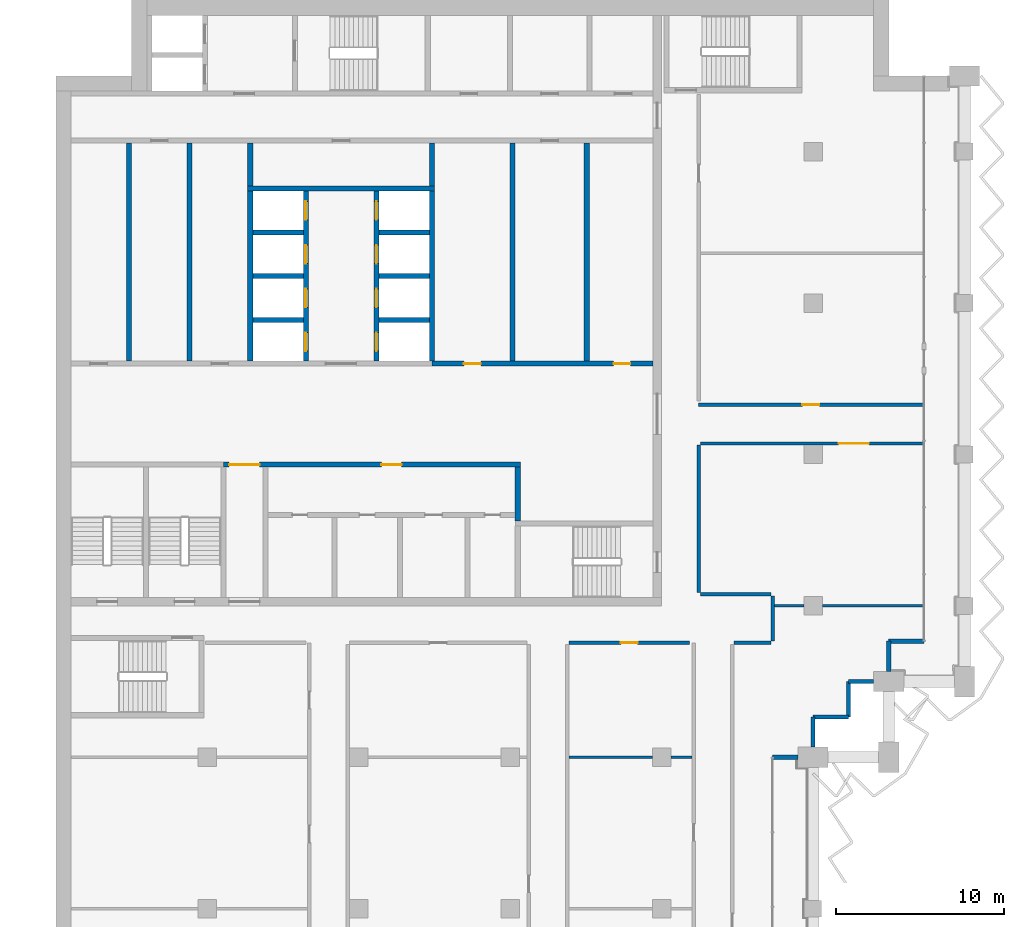
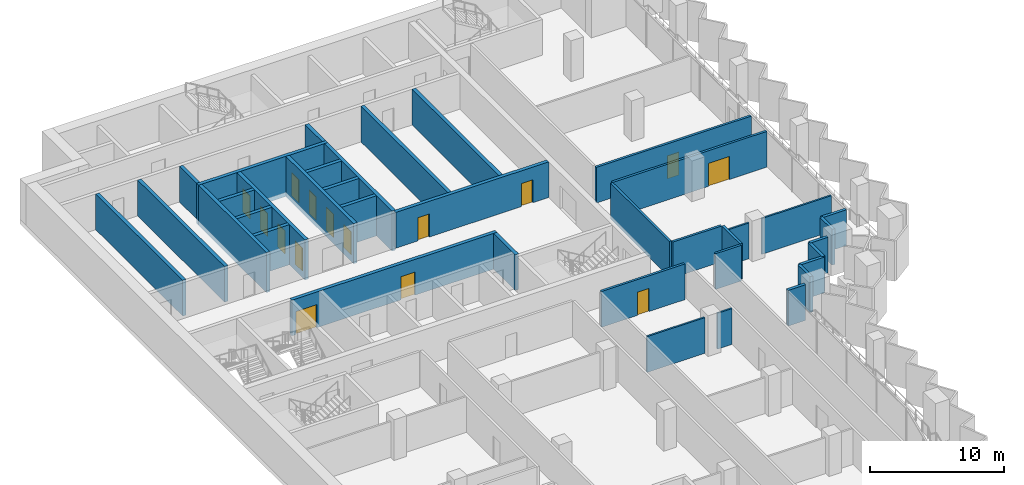
# One storey, part 11 of 18: 38 walls, 15 doors, 15 openings.
"""IFC4 building model written with IfcOpenShell, lengths in metres."""

from ifc_helpers import new_model, si_unit, direction, frame, frame_2d, origin, place, context, subcontext, project, spatial, rectangle, extrude, material, layer, layer_set, type_object, element, fill, save


model = new_model("IFC4")

# Units and contexts
model_context = context("Model", 3, precision=1e-05, world=origin(), true_north=direction((0.0, 1.0)))
body_context = subcontext(model_context, "Body", "Model", "MODEL_VIEW")
ifc_project = project(units=[si_unit("LENGTHUNIT", "METRE"), si_unit("AREAUNIT", "SQUARE_METRE"), si_unit("VOLUMEUNIT", "CUBIC_METRE"), si_unit("PLANEANGLEUNIT", "RADIAN"), si_unit("MASSUNIT", "GRAM", prefix="KILO")], contexts=[model_context])

# Site, building, storey
site_placement = place(None, origin())
site = spatial("IfcSite", under=ifc_project, at=site_placement, CompositionType="ELEMENT")
building_placement = place(site_placement, origin())
building = spatial("IfcBuilding", under=site, at=building_placement, Name="Hunhe Ridgeline Campus", CompositionType="ELEMENT")
storey_placement = place(building_placement, frame((0.0, 0.0, 223.5)))
storey = spatial("IfcBuildingStorey", under=building, at=storey_placement, Name="L57", CompositionType="ELEMENT", Elevation=223.5)

# Wall, openings, doors
ifc_material_1 = material(Name="Masonry concrete blockwork", Category="masonry")
ifc_layer_1 = layer(ifc_material_1, 0.300048828125)
ifc_layer_set_1 = layer_set([ifc_layer_1], Name="Core room partition 300 concrete block")
wall_type_1 = type_object("IfcWallType", Name="Core room partition 300 concrete block", PredefinedType="PARTITIONING", material=ifc_layer_set_1)
wall_1_placement = place(storey_placement, frame((9.949951171875, 71.39990234375, 0.0), z_axis=(0.0, 0.0, 1.0), x_axis=(1.0, 0.0, 0.0)))
wall_1 = element("IfcWall", 1, at=wall_1_placement, inside=storey, type_object=wall_type_1, Name="L57 core partition 11", PredefinedType="PARTITIONING", context=body_context, shape_type="SweptSolid", body=[
    extrude(rectangle(XDim=17.650146484375, YDim=0.300048828125, at=frame_2d((8.8251953125, 0.0))), origin(), (0.0, 0.0, 1.0), 3.25),
])
opening_1_placement = place(wall_1_placement, frame((0.35009765625, 0.0, 0.0)))
opening_1 = element("IfcOpeningElement", 2, at=opening_1_placement, cuts=wall_1, Name="Opening CD7", PredefinedType="OPENING", context=body_context, shape_type="SweptSolid", body=[
    extrude(rectangle(XDim=1.800048828125, YDim=2.10009765625, at=frame_2d((0.89990234375, 1.050048828125))), frame((0.0, 0.14990234375, 0.0), z_axis=(0.0, -1.0, 0.0), x_axis=(1.0, 0.0, 0.0)), (0.0, 0.0, 1.0), 0.300048828125),
])
opening_2_placement = place(wall_1_placement, frame((9.39990234375, 0.0, 0.0)))
opening_2 = element("IfcOpeningElement", 3, at=opening_2_placement, cuts=wall_1, Name="Opening CD12", PredefinedType="OPENING", context=body_context, shape_type="SweptSolid", body=[
    extrude(rectangle(XDim=1.199951171875, YDim=2.10009765625, at=frame_2d((0.60009765625, 1.050048828125))), frame((0.0, 0.14990234375, 0.0), z_axis=(0.0, -1.0, 0.0), x_axis=(1.0, 0.0, 0.0)), (0.0, 0.0, 1.0), 0.300048828125),
])
ifc_material_2 = material(Name="Anodised aluminium and glass", Category="aluminium")
door_type_1 = type_object("IfcDoorType", Name="Glazed double door 1800x2100", OperationType="DOUBLE_DOOR_SINGLE_SWING", PredefinedType="DOOR", material=ifc_material_2)
door_1_placement = place(opening_1_placement, origin())
door_1 = element("IfcDoor", 4, at=door_1_placement, inside=storey, type_object=door_type_1, Name="L57 door VEST-HALL", OperationType="DOUBLE_DOOR_SINGLE_SWING", OverallHeight=2.10009765625, OverallWidth=1.800048828125, PredefinedType="DOOR", context=body_context, shape_type="SweptSolid", body=[
    extrude(rectangle(XDim=1.800048828125, YDim=2.10009765625, at=frame_2d((0.89990234375, 1.050048828125))), frame((0.0, 0.02490234375, 0.0), z_axis=(0.0, -1.0, 0.0), x_axis=(1.0, 0.0, 0.0)), (0.0, 0.0, 1.0), 0.050048828125),
])
fill(opening_1, door_1)
ifc_material_3 = material(Name="Solid core timber door leaf", Category="wood")
door_type_2 = type_object("IfcDoorType", Name="Timber door 1200x2100", OperationType="SINGLE_SWING_LEFT", PredefinedType="DOOR", material=ifc_material_3)
door_2_placement = place(opening_2_placement, origin())
door_2 = element("IfcDoor", 5, at=door_2_placement, inside=storey, type_object=door_type_2, Name="L57 door WCL2-HALL", OperationType="SINGLE_SWING_RIGHT", OverallHeight=2.10009765625, OverallWidth=1.199951171875, PredefinedType="DOOR", context=body_context, shape_type="SweptSolid", body=[
    extrude(rectangle(XDim=1.199951171875, YDim=2.10009765625, at=frame_2d((0.60009765625, 1.050048828125))), frame((0.0, 0.02490234375, 0.0), z_axis=(0.0, -1.0, 0.0), x_axis=(1.0, 0.0, 0.0)), (0.0, 0.0, 1.0), 0.050048828125),
])
fill(opening_2, door_2)

wall_2_placement = place(storey_placement, frame((22.35009765625, 77.39990234375, 0.0), z_axis=(0.0, 0.0, 1.0), x_axis=(1.0, 0.0, 0.0)))
wall_2 = element("IfcWall", 6, at=wall_2_placement, inside=storey, type_object=wall_type_1, Name="L57 core partition 13", PredefinedType="PARTITIONING", context=body_context, shape_type="SweptSolid", body=[
    extrude(rectangle(XDim=13.14990234375, YDim=0.300048828125, at=frame_2d((6.574951171875, 0.0))), origin(), (0.0, 0.0, 1.0), 3.25),
])
opening_3_placement = place(wall_2_placement, frame((1.89990234375, 0.0, 0.0)))
opening_3 = element("IfcOpeningElement", 7, at=opening_3_placement, cuts=wall_2, Name="Opening CD32", PredefinedType="OPENING", context=body_context, shape_type="SweptSolid", body=[
    extrude(rectangle(XDim=1.0, YDim=2.10009765625, at=frame_2d((0.5, 1.050048828125))), frame((0.0, 0.14990234375, 0.0), z_axis=(0.0, -1.0, 0.0), x_axis=(1.0, 0.0, 0.0)), (0.0, 0.0, 1.0), 0.300048828125),
])
opening_4_placement = place(wall_2_placement, frame((10.800048828125, 0.0, 0.0)))
opening_4 = element("IfcOpeningElement", 8, at=opening_4_placement, cuts=wall_2, Name="Opening CD42", PredefinedType="OPENING", context=body_context, shape_type="SweptSolid", body=[
    extrude(rectangle(XDim=1.0, YDim=2.10009765625, at=frame_2d((0.5, 1.050048828125))), frame((0.0, 0.14990234375, 0.0), z_axis=(0.0, -1.0, 0.0), x_axis=(1.0, 0.0, 0.0)), (0.0, 0.0, 1.0), 0.300048828125),
])
door_type_3 = type_object("IfcDoorType", Name="Timber door 1000x2100", OperationType="SINGLE_SWING_LEFT", PredefinedType="DOOR", material=ifc_material_3)
door_3_placement = place(opening_3_placement, origin())
door_3 = element("IfcDoor", 9, at=door_3_placement, inside=storey, type_object=door_type_3, Name="L57 door ES0", OperationType="SINGLE_SWING_LEFT", OverallHeight=2.10009765625, OverallWidth=1.0, PredefinedType="DOOR", context=body_context, shape_type="SweptSolid", body=[
    extrude(rectangle(XDim=1.0, YDim=2.10009765625, at=frame_2d((0.5, 1.050048828125))), frame((0.0, 0.02490234375, 0.0), z_axis=(0.0, -1.0, 0.0), x_axis=(1.0, 0.0, 0.0)), (0.0, 0.0, 1.0), 0.050048828125),
])
fill(opening_3, door_3)
door_4_placement = place(opening_4_placement, origin())
door_4 = element("IfcDoor", 10, at=door_4_placement, inside=storey, type_object=door_type_3, Name="L57 door ES2", OperationType="SINGLE_SWING_LEFT", OverallHeight=2.10009765625, OverallWidth=1.0, PredefinedType="DOOR", context=body_context, shape_type="SweptSolid", body=[
    extrude(rectangle(XDim=1.0, YDim=2.10009765625, at=frame_2d((0.5, 1.050048828125))), frame((0.0, 0.02490234375, 0.0), z_axis=(0.0, -1.0, 0.0), x_axis=(1.0, 0.0, 0.0)), (0.0, 0.0, 1.0), 0.050048828125),
])
fill(opening_4, door_4)

# Walls
for number, where, z_axis, x_axis, name in (
    (11, (4.35009765625, 77.550048828125, 0.0), (0.0, 0.0, 1.0), (0.0, 1.0, 0.0), "L57 core partition 25"),
    (12, (7.949951171875, 77.550048828125, 0.0), (0.0, 0.0, 1.0), (0.0, 1.0, 0.0), "L57 core partition 28"),
):
    element("IfcWall", number, at=place(storey_placement, frame(where, z_axis=z_axis, x_axis=x_axis)), inside=storey, type_object=wall_type_1, Name=name, PredefinedType="PARTITIONING", context=body_context, shape_type="SweptSolid", body=[
        extrude(rectangle(XDim=12.949951171875, YDim=0.300048828125, at=frame_2d((6.47509765625, 0.0))), origin(), (0.0, 0.0, 1.0), 3.25),
    ])
for number, where, z_axis, x_axis, name in (
    (13, (11.550048828125, 87.949951171875, 0.0), (0.0, 0.0, 1.0), (0.0, 1.0, 0.0), "L57 core partition 34"),
    (14, (22.35009765625, 87.949951171875, 0.0), (0.0, 0.0, 1.0), (0.0, 1.0, 0.0), "L57 core partition 44"),
):
    element("IfcWall", number, at=place(storey_placement, frame(where, z_axis=z_axis, x_axis=x_axis)), inside=storey, type_object=wall_type_1, Name=name, PredefinedType="PARTITIONING", context=body_context, shape_type="SweptSolid", body=[
        extrude(rectangle(XDim=2.550048828125, YDim=0.300048828125, at=frame_2d((1.27490234375, 0.0))), origin(), (0.0, 0.0, 1.0), 3.25),
    ])
wall_3_placement = place(storey_placement, frame((27.14990234375, 77.550048828125, 0.0), z_axis=(0.0, 0.0, 1.0), x_axis=(0.0, 1.0, 0.0)))
element("IfcWall", 15, at=wall_3_placement, inside=storey, type_object=wall_type_1, Name="L57 core partition 48", PredefinedType="PARTITIONING", context=body_context, shape_type="SweptSolid", body=[
    extrude(rectangle(XDim=12.949951171875, YDim=0.300048828125, at=frame_2d((6.47509765625, 0.0))), origin(), (0.0, 0.0, 1.0), 3.25),
])
wall_4_placement = place(storey_placement, frame((27.449951171875, 68.050048828125, 0.0), z_axis=(0.0, 0.0, 1.0), x_axis=(0.0, 1.0, 0.0)))
element("IfcWall", 16, at=wall_4_placement, inside=storey, type_object=wall_type_1, Name="L57 core partition 50", PredefinedType="PARTITIONING", context=body_context, shape_type="SweptSolid", body=[
    extrude(rectangle(XDim=3.199951171875, YDim=0.300048828125, at=frame_2d((1.60009765625, 0.0))), origin(), (0.0, 0.0, 1.0), 3.25),
])
wall_5_placement = place(storey_placement, frame((31.550048828125, 77.550048828125, 0.0), z_axis=(0.0, 0.0, 1.0), x_axis=(0.0, 1.0, 0.0)))
element("IfcWall", 17, at=wall_5_placement, inside=storey, type_object=wall_type_1, Name="L57 core partition 51", PredefinedType="PARTITIONING", context=body_context, shape_type="SweptSolid", body=[
    extrude(rectangle(XDim=12.949951171875, YDim=0.300048828125, at=frame_2d((6.47509765625, 0.0))), origin(), (0.0, 0.0, 1.0), 3.25),
])
ifc_material_4 = material(Name="Concrete C30", Category="concrete")
ifc_layer_2 = layer(ifc_material_4, 0.25)
ifc_layer_set_2 = layer_set([ifc_layer_2], Name="Corner return wall 250 Concrete C30")
wall_type_2 = type_object("IfcWallType", Name="Corner return wall 250 Concrete C30", PredefinedType="SOLIDWALL", material=ifc_layer_set_2)
wall_6_placement = place(storey_placement, frame((42.59912109375, 54.00048828125, 0.0), z_axis=(0.0, 0.0, 1.0), x_axis=(0.999999986772, 0.00016265452, 0.0)))
element("IfcWall", 18, at=wall_6_placement, inside=storey, type_object=wall_type_2, Name="Corner return wall 2", PredefinedType="SOLIDWALL", context=body_context, shape_type="SweptSolid", body=[
    extrude(rectangle(XDim=1.5009765625, YDim=0.25, at=frame_2d((0.75048828125, 0.0))), origin(), (0.0, 0.0, 1.0), 3.25),
])
wall_7_placement = place(storey_placement, frame((44.9990234375, 54.60009765625, 0.0), z_axis=(0.0, 0.0, 1.0), x_axis=(0.000135593219, 0.999999990807, 0.0)))
element("IfcWall", 19, at=wall_7_placement, inside=storey, type_object=wall_type_2, Name="Corner return wall 3", PredefinedType="SOLIDWALL", context=body_context, shape_type="SweptSolid", body=[
    extrude(rectangle(XDim=1.800537109375, YDim=0.25, at=frame_2d((0.900390625, 0.0))), origin(), (0.0, 0.0, 1.0), 3.25),
])
wall_8_placement = place(storey_placement, frame((44.999267578125, 56.400634765625, 0.0), z_axis=(0.0, 0.0, 1.0), x_axis=(0.999999993241, 0.00011626555, 0.0)))
element("IfcWall", 20, at=wall_8_placement, inside=storey, type_object=wall_type_2, Name="Corner return wall 4", PredefinedType="SOLIDWALL", context=body_context, shape_type="SweptSolid", body=[
    extrude(rectangle(XDim=2.099853515625, YDim=0.25, at=frame_2d((1.0498046875, 0.0))), origin(), (0.0, 0.0, 1.0), 3.25),
])
wall_9_placement = place(storey_placement, frame((47.09912109375, 56.40087890625, 0.0), z_axis=(0.0, 0.0, 1.0), x_axis=(0.000232504063, 0.999999972971, 0.0)))
element("IfcWall", 21, at=wall_9_placement, inside=storey, type_object=wall_type_2, Name="Corner return wall 5", PredefinedType="SOLIDWALL", context=body_context, shape_type="SweptSolid", body=[
    extrude(rectangle(XDim=2.10009765625, YDim=0.25, at=frame_2d((1.050048828125, 0.0))), origin(), (0.0, 0.0, 1.0), 3.25),
])
wall_10_placement = place(storey_placement, frame((47.099609375, 58.5009765625, 0.0), z_axis=(0.0, 0.0, 1.0), x_axis=(1.0, 0.0, 0.0)))
element("IfcWall", 22, at=wall_10_placement, inside=storey, type_object=wall_type_2, Name="Corner return wall 6", PredefinedType="SOLIDWALL", context=body_context, shape_type="SweptSolid", body=[
    extrude(rectangle(XDim=1.50048828125, YDim=0.25, at=frame_2d((0.750244140625, 0.0))), origin(), (0.0, 0.0, 1.0), 3.25),
])
wall_11_placement = place(storey_placement, frame((49.4990234375, 59.10009765625, 0.0), z_axis=(0.0, 0.0, 1.0), x_axis=(0.000271149665, 0.999999963239, 0.0)))
element("IfcWall", 23, at=wall_11_placement, inside=storey, type_object=wall_type_2, Name="Corner return wall 7", PredefinedType="SOLIDWALL", context=body_context, shape_type="SweptSolid", body=[
    extrude(rectangle(XDim=1.80078125, YDim=0.25, at=frame_2d((0.900390625, 0.0))), origin(), (0.0, 0.0, 1.0), 3.25),
])
wall_12_placement = place(storey_placement, frame((49.49951171875, 60.90087890625, 0.0), z_axis=(0.0, 0.0, 1.0), x_axis=(1.0, 0.0, 0.0)))
element("IfcWall", 24, at=wall_12_placement, inside=storey, type_object=wall_type_2, Name="Corner return wall 8", PredefinedType="SOLIDWALL", context=body_context, shape_type="SweptSolid", body=[
    extrude(rectangle(XDim=2.099609375, YDim=0.25, at=frame_2d((1.0498046875, 0.0))), origin(), (0.0, 0.0, 1.0), 3.25),
])

# Wall, opening, door
ifc_material_5 = material(Name="Gypsum board partition")
ifc_layer_3 = layer(ifc_material_5, 0.199951171875)
ifc_layer_set_3 = layer_set([ifc_layer_3], Name="Corridor partition 200 gypsum board on steel studs")
wall_type_3 = type_object("IfcWallType", Name="Corridor partition 200 gypsum board on steel studs", PredefinedType="PARTITIONING", material=ifc_layer_set_3)
wall_13_placement = place(storey_placement, frame((37.644775390625, 60.800048828125, 0.0), z_axis=(0.0, 0.0, 1.0), x_axis=(-1.0, 0.0, 0.0)))
wall_13 = element("IfcWall", 25, at=wall_13_placement, inside=storey, type_object=wall_type_3, Name="F-L57-wall-030", PredefinedType="PARTITIONING", context=body_context, shape_type="SweptSolid", body=[
    extrude(rectangle(XDim=7.144775390625, YDim=0.199951171875, at=frame_2d((3.572265625, 0.0))), origin(), (0.0, 0.0, 1.0), 3.25),
])
opening_5_placement = place(wall_13_placement, frame((3.072509765625, 0.0, 0.0)))
opening_5 = element("IfcOpeningElement", 26, at=opening_5_placement, cuts=wall_13, Name="Opening RD1-017", PredefinedType="OPENING", context=body_context, shape_type="SweptSolid", body=[
    extrude(rectangle(XDim=1.0, YDim=2.10009765625, at=frame_2d((0.5, 1.050048828125))), frame((0.0, 0.10009765625, 0.0), z_axis=(0.0, -1.0, 0.0), x_axis=(1.0, 0.0, 0.0)), (0.0, 0.0, 1.0), 0.199951171875),
])
ifc_material_6 = material(Name="Timber door leaf", Category="wood")
door_type_4 = type_object("IfcDoorType", Name="Single fire door 1000x2100 timber FD60", OperationType="NOTDEFINED", PredefinedType="DOOR", material=ifc_material_6)
door_5_placement = place(opening_5_placement, origin())
door_5 = element("IfcDoor", 27, at=door_5_placement, inside=storey, type_object=door_type_4, Name="F-L57-door-017", OperationType="SINGLE_SWING_LEFT", OverallHeight=2.10009765625, OverallWidth=1.0, PredefinedType="DOOR", context=body_context, shape_type="SweptSolid", body=[
    extrude(rectangle(XDim=1.0, YDim=2.10009765625, at=frame_2d((0.5, 1.050048828125))), frame((0.0, 0.02490234375, 0.0), z_axis=(0.0, -1.0, 0.0), x_axis=(1.0, 0.0, 0.0)), (0.0, 0.0, 1.0), 0.050048828125),
])
fill(opening_5, door_5)

# Walls
wall_14_placement = place(storey_placement, frame((42.5, 60.800048828125, 0.0), z_axis=(0.0, 0.0, 1.0), x_axis=(-1.0, 0.0, 0.0)))
element("IfcWall", 28, at=wall_14_placement, inside=storey, type_object=wall_type_3, Name="F-L57-wall-031", PredefinedType="PARTITIONING", context=body_context, shape_type="SweptSolid", body=[
    extrude(rectangle(XDim=2.199951171875, YDim=0.199951171875, at=frame_2d((1.10009765625, 0.0))), origin(), (0.0, 0.0, 1.0), 3.25),
])
wall_15_placement = place(storey_placement, frame((38.300048828125, 63.699951171875, 0.0), z_axis=(0.0, 0.0, 1.0), x_axis=(1.0, 0.0, 0.0)))
element("IfcWall", 29, at=wall_15_placement, inside=storey, type_object=wall_type_3, Name="F-L57-wall-034", PredefinedType="PARTITIONING", context=body_context, shape_type="SweptSolid", body=[
    extrude(rectangle(XDim=4.199951171875, YDim=0.199951171875, at=frame_2d((2.10009765625, 0.0))), origin(), (0.0, 0.0, 1.0), 3.25),
])

# Wall, opening, door
wall_16_placement = place(storey_placement, frame((51.544921875, 72.64990234375, 0.0), z_axis=(0.0, 0.0, 1.0), x_axis=(-1.0, 0.0, 0.0)))
wall_16 = element("IfcWall", 30, at=wall_16_placement, inside=storey, type_object=wall_type_3, Name="F-L57-wall-035", PredefinedType="PARTITIONING", context=body_context, shape_type="SweptSolid", body=[
    extrude(rectangle(XDim=13.244873046875, YDim=0.199951171875, at=frame_2d((6.62255859375, 0.0))), origin(), (0.0, 0.0, 1.0), 3.25),
])
opening_6_placement = place(wall_16_placement, frame((3.222412109375, 0.0, 0.0)))
opening_6 = element("IfcOpeningElement", 31, at=opening_6_placement, cuts=wall_16, Name="Opening RD2-018", PredefinedType="OPENING", context=body_context, shape_type="SweptSolid", body=[
    extrude(rectangle(XDim=1.800048828125, YDim=2.10009765625, at=frame_2d((0.89990234375, 1.050048828125))), frame((0.0, 0.10009765625, 0.0), z_axis=(0.0, -1.0, 0.0), x_axis=(1.0, 0.0, 0.0)), (0.0, 0.0, 1.0), 0.199951171875),
])
door_type_5 = type_object("IfcDoorType", Name="Double fire door 1800x2100 timber FD60", OperationType="DOUBLE_DOOR_SINGLE_SWING", PredefinedType="DOOR", material=ifc_material_6)
door_6_placement = place(opening_6_placement, origin())
door_6 = element("IfcDoor", 32, at=door_6_placement, inside=storey, type_object=door_type_5, Name="F-L57-door-018", OperationType="DOUBLE_DOOR_SINGLE_SWING", OverallHeight=2.10009765625, OverallWidth=1.800048828125, PredefinedType="DOOR", context=body_context, shape_type="SweptSolid", body=[
    extrude(rectangle(XDim=1.800048828125, YDim=2.10009765625, at=frame_2d((0.89990234375, 1.050048828125))), frame((0.0, 0.02490234375, 0.0), z_axis=(0.0, -1.0, 0.0), x_axis=(1.0, 0.0, 0.0)), (0.0, 0.0, 1.0), 0.050048828125),
])
fill(opening_6, door_6)

wall_17_placement = place(storey_placement, frame((38.199951171875, 74.949951171875, 0.0), z_axis=(0.0, 0.0, 1.0), x_axis=(1.0, 0.0, 0.0)))
wall_17 = element("IfcWall", 33, at=wall_17_placement, inside=storey, type_object=wall_type_3, Name="F-L57-wall-036", PredefinedType="PARTITIONING", context=body_context, shape_type="SweptSolid", body=[
    extrude(rectangle(XDim=13.344970703125, YDim=0.199951171875, at=frame_2d((6.67236328125, 0.0))), origin(), (0.0, 0.0, 1.0), 3.25),
])
opening_7_placement = place(wall_17_placement, frame((6.172607421875, 0.0, 0.0)))
opening_7 = element("IfcOpeningElement", 34, at=opening_7_placement, cuts=wall_17, Name="Opening RD1-019", PredefinedType="OPENING", context=body_context, shape_type="SweptSolid", body=[
    extrude(rectangle(XDim=1.0, YDim=2.10009765625, at=frame_2d((0.5, 1.050048828125))), frame((0.0, 0.10009765625, 0.0), z_axis=(0.0, -1.0, 0.0), x_axis=(1.0, 0.0, 0.0)), (0.0, 0.0, 1.0), 0.199951171875),
])
door_7_placement = place(opening_7_placement, origin())
door_7 = element("IfcDoor", 35, at=door_7_placement, inside=storey, type_object=door_type_4, Name="F-L57-door-019", OperationType="SINGLE_SWING_LEFT", OverallHeight=2.10009765625, OverallWidth=1.0, PredefinedType="DOOR", context=body_context, shape_type="SweptSolid", body=[
    extrude(rectangle(XDim=1.0, YDim=2.10009765625, at=frame_2d((0.5, 1.050048828125))), frame((0.0, 0.02490234375, 0.0), z_axis=(0.0, -1.0, 0.0), x_axis=(1.0, 0.0, 0.0)), (0.0, 0.0, 1.0), 0.050048828125),
])
fill(opening_7, door_7)

# Walls
wall_18_placement = place(storey_placement, frame((38.199951171875, 72.550048828125, 0.0), z_axis=(0.0, 0.0, 1.0), x_axis=(0.0, -1.0, 0.0)))
element("IfcWall", 36, at=wall_18_placement, inside=storey, type_object=wall_type_3, Name="F-L57-wall-047", PredefinedType="PARTITIONING", context=body_context, shape_type="SweptSolid", body=[
    extrude(rectangle(XDim=8.75, YDim=0.199951171875, at=frame_2d((4.375, 0.0))), origin(), (0.0, 0.0, 1.0), 3.25),
])
wall_19_placement = place(storey_placement, frame((42.60009765625, 63.60009765625, 0.0), z_axis=(0.0, 0.0, 1.0), x_axis=(0.0, -1.0, 0.0)))
element("IfcWall", 37, at=wall_19_placement, inside=storey, type_object=wall_type_3, Name="F-L57-wall-050", PredefinedType="PARTITIONING", context=body_context, shape_type="SweptSolid", body=[
    extrude(rectangle(XDim=2.7001953125, YDim=0.199951171875, at=frame_2d((1.35009765625, 0.0))), origin(), (0.0, 0.0, 1.0), 3.25),
])
ifc_layer_4 = layer(ifc_material_5, 0.14990234375)
ifc_layer_set_4 = layer_set([ifc_layer_4], Name="Room partition 150 gypsum board on steel studs")
wall_type_4 = type_object("IfcWallType", Name="Room partition 150 gypsum board on steel studs", PredefinedType="PARTITIONING", material=ifc_layer_set_4)
wall_20_placement = place(storey_placement, frame((30.5, 54.0, 0.0), z_axis=(0.0, 0.0, 1.0), x_axis=(1.0, 0.0, 0.0)))
element("IfcWall", 38, at=wall_20_placement, inside=storey, type_object=wall_type_4, Name="F-L57-wall-026", PredefinedType="PARTITIONING", context=body_context, shape_type="SweptSolid", body=[
    extrude(rectangle(XDim=4.949951171875, YDim=0.14990234375, at=frame_2d((2.47509765625, 0.0))), origin(), (0.0, 0.0, 1.0), 3.25),
])
wall_21_placement = place(storey_placement, frame((36.550048828125, 54.0, 0.0), z_axis=(0.0, 0.0, 1.0), x_axis=(1.0, 0.0, 0.0)))
element("IfcWall", 39, at=wall_21_placement, inside=storey, type_object=wall_type_4, Name="F-L57-wall-027", PredefinedType="PARTITIONING", context=body_context, shape_type="SweptSolid", body=[
    extrude(rectangle(XDim=1.25, YDim=0.14990234375, at=frame_2d((0.625, 0.0))), origin(), (0.0, 0.0, 1.0), 3.25),
])
wall_22_placement = place(storey_placement, frame((42.699951171875, 63.0, 0.0), z_axis=(0.0, 0.0, 1.0), x_axis=(1.0, 0.0, 0.0)))
element("IfcWall", 40, at=wall_22_placement, inside=storey, type_object=wall_type_4, Name="F-L57-wall-032", PredefinedType="PARTITIONING", context=body_context, shape_type="SweptSolid", body=[
    extrude(rectangle(XDim=1.75, YDim=0.14990234375, at=frame_2d((0.875, 0.0))), origin(), (0.0, 0.0, 1.0), 3.25),
])
wall_23_placement = place(storey_placement, frame((45.550048828125, 63.0, 0.0), z_axis=(0.0, 0.0, 1.0), x_axis=(1.0, 0.0, 0.0)))
element("IfcWall", 41, at=wall_23_placement, inside=storey, type_object=wall_type_4, Name="F-L57-wall-033", PredefinedType="PARTITIONING", context=body_context, shape_type="SweptSolid", body=[
    extrude(rectangle(XDim=5.994873046875, YDim=0.14990234375, at=frame_2d((2.99755859375, 0.0))), origin(), (0.0, 0.0, 1.0), 3.25),
])
ifc_material_7 = material(Name="Concrete C60", Category="concrete")
ifc_layer_5 = layer(ifc_material_7, 0.300048828125)
ifc_layer_set_5 = layer_set([ifc_layer_5], Name="Shaft wall 300 reinforced concrete C60")
wall_type_5 = type_object("IfcWallType", Name="Shaft wall 300 reinforced concrete C60", PredefinedType="SOLIDWALL", material=ifc_layer_set_5)
for number, where, z_axis, x_axis, name in (
    (42, (11.699951171875, 80.0, -0.39990234375), (0.0, 0.0, 1.0), (1.0, 0.0, 0.0), "L57 core wall 14"),
    (43, (19.199951171875, 80.0, -0.39990234375), (0.0, 0.0, 1.0), (1.0, 0.0, 0.0), "L57 core wall 15"),
    (44, (11.699951171875, 82.60009765625, -0.39990234375), (0.0, 0.0, 1.0), (1.0, 0.0, 0.0), "L57 core wall 16"),
    (45, (19.199951171875, 82.60009765625, -0.39990234375), (0.0, 0.0, 1.0), (1.0, 0.0, 0.0), "L57 core wall 17"),
    (46, (11.699951171875, 85.199951171875, -0.39990234375), (0.0, 0.0, 1.0), (1.0, 0.0, 0.0), "L57 core wall 18"),
    (47, (19.199951171875, 85.199951171875, -0.39990234375), (0.0, 0.0, 1.0), (1.0, 0.0, 0.0), "L57 core wall 19"),
):
    element("IfcWall", number, at=place(storey_placement, frame(where, z_axis=z_axis, x_axis=x_axis)), inside=storey, type_object=wall_type_5, Name=name, PredefinedType="SOLIDWALL", context=body_context, shape_type="SweptSolid", body=[
        extrude(rectangle(XDim=3.0, YDim=0.300048828125, at=frame_2d((1.5, 0.0))), origin(), (0.0, 0.0, 1.0), 3.64990234375),
    ])
wall_24_placement = place(storey_placement, frame((11.39990234375, 87.800048828125, -0.39990234375), z_axis=(0.0, 0.0, 1.0), x_axis=(1.0, 0.0, 0.0)))
element("IfcWall", 48, at=wall_24_placement, inside=storey, type_object=wall_type_5, Name="L57 core wall 20", PredefinedType="SOLIDWALL", context=body_context, shape_type="SweptSolid", body=[
    extrude(rectangle(XDim=11.10009765625, YDim=0.300048828125, at=frame_2d((5.550048828125, 0.0))), origin(), (0.0, 0.0, 1.0), 3.64990234375),
])
wall_25_placement = place(storey_placement, frame((11.550048828125, 77.550048828125, -0.39990234375), z_axis=(0.0, 0.0, 1.0), x_axis=(0.0, 1.0, 0.0)))
element("IfcWall", 49, at=wall_25_placement, inside=storey, type_object=wall_type_5, Name="L57 core wall 33", PredefinedType="SOLIDWALL", context=body_context, shape_type="SweptSolid", body=[
    extrude(rectangle(XDim=10.099853515625, YDim=0.300048828125, at=frame_2d((5.0498046875, 0.0))), origin(), (0.0, 0.0, 1.0), 3.64990234375),
])

# Wall, openings, doors
wall_26_placement = place(storey_placement, frame((14.85009765625, 77.550048828125, -0.39990234375), z_axis=(0.0, 0.0, 1.0), x_axis=(0.0, 1.0, 0.0)))
wall_26 = element("IfcWall", 50, at=wall_26_placement, inside=storey, type_object=wall_type_5, Name="L57 core wall 37", PredefinedType="SOLIDWALL", context=body_context, shape_type="SweptSolid", body=[
    extrude(rectangle(XDim=10.099853515625, YDim=0.300048828125, at=frame_2d((5.0498046875, 0.0))), origin(), (0.0, 0.0, 1.0), 3.64990234375),
])
opening_8_placement = place(wall_26_placement, frame((0.60009765625, 0.0, 0.39990234375)))
opening_8 = element("IfcOpeningElement", 51, at=opening_8_placement, cuts=wall_26, Name="Opening LD-HR1", PredefinedType="OPENING", context=body_context, shape_type="SweptSolid", body=[
    extrude(rectangle(XDim=1.10009765625, YDim=2.10009765625, at=frame_2d((0.550048828125, 1.050048828125))), frame((0.0, 0.14990234375, 0.0), z_axis=(0.0, -1.0, 0.0), x_axis=(1.0, 0.0, 0.0)), (0.0, 0.0, 1.0), 0.300048828125),
])
opening_9_placement = place(wall_26_placement, frame((3.199951171875, 0.0, 0.39990234375)))
opening_9 = element("IfcOpeningElement", 52, at=opening_9_placement, cuts=wall_26, Name="Opening LD-HR2", PredefinedType="OPENING", context=body_context, shape_type="SweptSolid", body=[
    extrude(rectangle(XDim=1.10009765625, YDim=2.10009765625, at=frame_2d((0.550048828125, 1.050048828125))), frame((0.0, 0.14990234375, 0.0), z_axis=(0.0, -1.0, 0.0), x_axis=(1.0, 0.0, 0.0)), (0.0, 0.0, 1.0), 0.300048828125),
])
opening_10_placement = place(wall_26_placement, frame((5.800048828125, 0.0, 0.39990234375)))
opening_10 = element("IfcOpeningElement", 53, at=opening_10_placement, cuts=wall_26, Name="Opening LD-HR3", PredefinedType="OPENING", context=body_context, shape_type="SweptSolid", body=[
    extrude(rectangle(XDim=1.10009765625, YDim=2.10009765625, at=frame_2d((0.550048828125, 1.050048828125))), frame((0.0, 0.14990234375, 0.0), z_axis=(0.0, -1.0, 0.0), x_axis=(1.0, 0.0, 0.0)), (0.0, 0.0, 1.0), 0.300048828125),
])
opening_11_placement = place(wall_26_placement, frame((8.39990234375, 0.0, 0.39990234375)))
opening_11 = element("IfcOpeningElement", 54, at=opening_11_placement, cuts=wall_26, Name="Opening LD-HR4", PredefinedType="OPENING", context=body_context, shape_type="SweptSolid", body=[
    extrude(rectangle(XDim=1.10009765625, YDim=2.10009765625, at=frame_2d((0.550048828125, 1.050048828125))), frame((0.0, 0.14990234375, 0.0), z_axis=(0.0, -1.0, 0.0), x_axis=(1.0, 0.0, 0.0)), (0.0, 0.0, 1.0), 0.300048828125),
])
ifc_material_8 = material(Name="Stainless steel sliding leaves", Category="steel")
door_type_6 = type_object("IfcDoorType", Name="Landing door 1100x2100 FD120", OperationType="SLIDING_TO_LEFT", PredefinedType="DOOR", material=ifc_material_8)
door_8_placement = place(opening_8_placement, origin())
door_8 = element("IfcDoor", 55, at=door_8_placement, inside=storey, type_object=door_type_6, Name="L57 landing door HR1", OperationType="SLIDING_TO_RIGHT", OverallHeight=2.10009765625, OverallWidth=1.10009765625, PredefinedType="DOOR", context=body_context, shape_type="SweptSolid", body=[
    extrude(rectangle(XDim=1.10009765625, YDim=2.10009765625, at=frame_2d((0.550048828125, 1.050048828125))), frame((0.0, 0.02490234375, 0.0), z_axis=(0.0, -1.0, 0.0), x_axis=(1.0, 0.0, 0.0)), (0.0, 0.0, 1.0), 0.050048828125),
])
fill(opening_8, door_8)
door_9_placement = place(opening_9_placement, origin())
door_9 = element("IfcDoor", 56, at=door_9_placement, inside=storey, type_object=door_type_6, Name="L57 landing door HR2", OperationType="SLIDING_TO_LEFT", OverallHeight=2.10009765625, OverallWidth=1.10009765625, PredefinedType="DOOR", context=body_context, shape_type="SweptSolid", body=[
    extrude(rectangle(XDim=1.10009765625, YDim=2.10009765625, at=frame_2d((0.550048828125, 1.050048828125))), frame((0.0, 0.02490234375, 0.0), z_axis=(0.0, -1.0, 0.0), x_axis=(1.0, 0.0, 0.0)), (0.0, 0.0, 1.0), 0.050048828125),
])
fill(opening_9, door_9)
door_10_placement = place(opening_10_placement, origin())
door_10 = element("IfcDoor", 57, at=door_10_placement, inside=storey, type_object=door_type_6, Name="L57 landing door HR3", OperationType="SLIDING_TO_RIGHT", OverallHeight=2.10009765625, OverallWidth=1.10009765625, PredefinedType="DOOR", context=body_context, shape_type="SweptSolid", body=[
    extrude(rectangle(XDim=1.10009765625, YDim=2.10009765625, at=frame_2d((0.550048828125, 1.050048828125))), frame((0.0, 0.02490234375, 0.0), z_axis=(0.0, -1.0, 0.0), x_axis=(1.0, 0.0, 0.0)), (0.0, 0.0, 1.0), 0.050048828125),
])
fill(opening_10, door_10)
door_11_placement = place(opening_11_placement, origin())
door_11 = element("IfcDoor", 58, at=door_11_placement, inside=storey, type_object=door_type_6, Name="L57 landing door HR4", OperationType="SLIDING_TO_LEFT", OverallHeight=2.10009765625, OverallWidth=1.10009765625, PredefinedType="DOOR", context=body_context, shape_type="SweptSolid", body=[
    extrude(rectangle(XDim=1.10009765625, YDim=2.10009765625, at=frame_2d((0.550048828125, 1.050048828125))), frame((0.0, 0.02490234375, 0.0), z_axis=(0.0, -1.0, 0.0), x_axis=(1.0, 0.0, 0.0)), (0.0, 0.0, 1.0), 0.050048828125),
])
fill(opening_11, door_11)

wall_27_placement = place(storey_placement, frame((19.050048828125, 77.550048828125, -0.39990234375), z_axis=(0.0, 0.0, 1.0), x_axis=(0.0, 1.0, 0.0)))
wall_27 = element("IfcWall", 59, at=wall_27_placement, inside=storey, type_object=wall_type_5, Name="L57 core wall 39", PredefinedType="SOLIDWALL", context=body_context, shape_type="SweptSolid", body=[
    extrude(rectangle(XDim=10.099853515625, YDim=0.300048828125, at=frame_2d((5.0498046875, 0.0))), origin(), (0.0, 0.0, 1.0), 3.64990234375),
])
opening_12_placement = place(wall_27_placement, frame((0.60009765625, 0.0, 0.39990234375)))
opening_12 = element("IfcOpeningElement", 60, at=opening_12_placement, cuts=wall_27, Name="Opening LD-HR5", PredefinedType="OPENING", context=body_context, shape_type="SweptSolid", body=[
    extrude(rectangle(XDim=1.10009765625, YDim=2.10009765625, at=frame_2d((0.550048828125, 1.050048828125))), frame((0.0, 0.14990234375, 0.0), z_axis=(0.0, -1.0, 0.0), x_axis=(1.0, 0.0, 0.0)), (0.0, 0.0, 1.0), 0.300048828125),
])
opening_13_placement = place(wall_27_placement, frame((3.199951171875, 0.0, 0.39990234375)))
opening_13 = element("IfcOpeningElement", 61, at=opening_13_placement, cuts=wall_27, Name="Opening LD-HR6", PredefinedType="OPENING", context=body_context, shape_type="SweptSolid", body=[
    extrude(rectangle(XDim=1.10009765625, YDim=2.10009765625, at=frame_2d((0.550048828125, 1.050048828125))), frame((0.0, 0.14990234375, 0.0), z_axis=(0.0, -1.0, 0.0), x_axis=(1.0, 0.0, 0.0)), (0.0, 0.0, 1.0), 0.300048828125),
])
opening_14_placement = place(wall_27_placement, frame((5.800048828125, 0.0, 0.39990234375)))
opening_14 = element("IfcOpeningElement", 62, at=opening_14_placement, cuts=wall_27, Name="Opening LD-HR7", PredefinedType="OPENING", context=body_context, shape_type="SweptSolid", body=[
    extrude(rectangle(XDim=1.10009765625, YDim=2.10009765625, at=frame_2d((0.550048828125, 1.050048828125))), frame((0.0, 0.14990234375, 0.0), z_axis=(0.0, -1.0, 0.0), x_axis=(1.0, 0.0, 0.0)), (0.0, 0.0, 1.0), 0.300048828125),
])
opening_15_placement = place(wall_27_placement, frame((8.39990234375, 0.0, 0.39990234375)))
opening_15 = element("IfcOpeningElement", 63, at=opening_15_placement, cuts=wall_27, Name="Opening LD-HR8", PredefinedType="OPENING", context=body_context, shape_type="SweptSolid", body=[
    extrude(rectangle(XDim=1.10009765625, YDim=2.10009765625, at=frame_2d((0.550048828125, 1.050048828125))), frame((0.0, 0.14990234375, 0.0), z_axis=(0.0, -1.0, 0.0), x_axis=(1.0, 0.0, 0.0)), (0.0, 0.0, 1.0), 0.300048828125),
])
door_12_placement = place(opening_12_placement, origin())
door_12 = element("IfcDoor", 64, at=door_12_placement, inside=storey, type_object=door_type_6, Name="L57 landing door HR5", OperationType="SLIDING_TO_RIGHT", OverallHeight=2.10009765625, OverallWidth=1.10009765625, PredefinedType="DOOR", context=body_context, shape_type="SweptSolid", body=[
    extrude(rectangle(XDim=1.10009765625, YDim=2.10009765625, at=frame_2d((0.550048828125, 1.050048828125))), frame((0.0, 0.02490234375, 0.0), z_axis=(0.0, -1.0, 0.0), x_axis=(1.0, 0.0, 0.0)), (0.0, 0.0, 1.0), 0.050048828125),
])
fill(opening_12, door_12)
door_13_placement = place(opening_13_placement, origin())
door_13 = element("IfcDoor", 65, at=door_13_placement, inside=storey, type_object=door_type_6, Name="L57 landing door HR6", OperationType="SLIDING_TO_LEFT", OverallHeight=2.10009765625, OverallWidth=1.10009765625, PredefinedType="DOOR", context=body_context, shape_type="SweptSolid", body=[
    extrude(rectangle(XDim=1.10009765625, YDim=2.10009765625, at=frame_2d((0.550048828125, 1.050048828125))), frame((0.0, 0.02490234375, 0.0), z_axis=(0.0, -1.0, 0.0), x_axis=(1.0, 0.0, 0.0)), (0.0, 0.0, 1.0), 0.050048828125),
])
fill(opening_13, door_13)
door_14_placement = place(opening_14_placement, origin())
door_14 = element("IfcDoor", 66, at=door_14_placement, inside=storey, type_object=door_type_6, Name="L57 landing door HR7", OperationType="SLIDING_TO_RIGHT", OverallHeight=2.10009765625, OverallWidth=1.10009765625, PredefinedType="DOOR", context=body_context, shape_type="SweptSolid", body=[
    extrude(rectangle(XDim=1.10009765625, YDim=2.10009765625, at=frame_2d((0.550048828125, 1.050048828125))), frame((0.0, 0.02490234375, 0.0), z_axis=(0.0, -1.0, 0.0), x_axis=(1.0, 0.0, 0.0)), (0.0, 0.0, 1.0), 0.050048828125),
])
fill(opening_14, door_14)
door_15_placement = place(opening_15_placement, origin())
door_15 = element("IfcDoor", 67, at=door_15_placement, inside=storey, type_object=door_type_6, Name="L57 landing door HR8", OperationType="SLIDING_TO_LEFT", OverallHeight=2.10009765625, OverallWidth=1.10009765625, PredefinedType="DOOR", context=body_context, shape_type="SweptSolid", body=[
    extrude(rectangle(XDim=1.10009765625, YDim=2.10009765625, at=frame_2d((0.550048828125, 1.050048828125))), frame((0.0, 0.02490234375, 0.0), z_axis=(0.0, -1.0, 0.0), x_axis=(1.0, 0.0, 0.0)), (0.0, 0.0, 1.0), 0.050048828125),
])
fill(opening_15, door_15)

# Wall
wall_28_placement = place(storey_placement, frame((22.35009765625, 77.550048828125, -0.39990234375), z_axis=(0.0, 0.0, 1.0), x_axis=(0.0, 1.0, 0.0)))
element("IfcWall", 68, at=wall_28_placement, inside=storey, type_object=wall_type_5, Name="L57 core wall 43", PredefinedType="SOLIDWALL", context=body_context, shape_type="SweptSolid", body=[
    extrude(rectangle(XDim=10.099853515625, YDim=0.300048828125, at=frame_2d((5.0498046875, 0.0))), origin(), (0.0, 0.0, 1.0), 3.64990234375),
])

save(model, "model.ifc")
